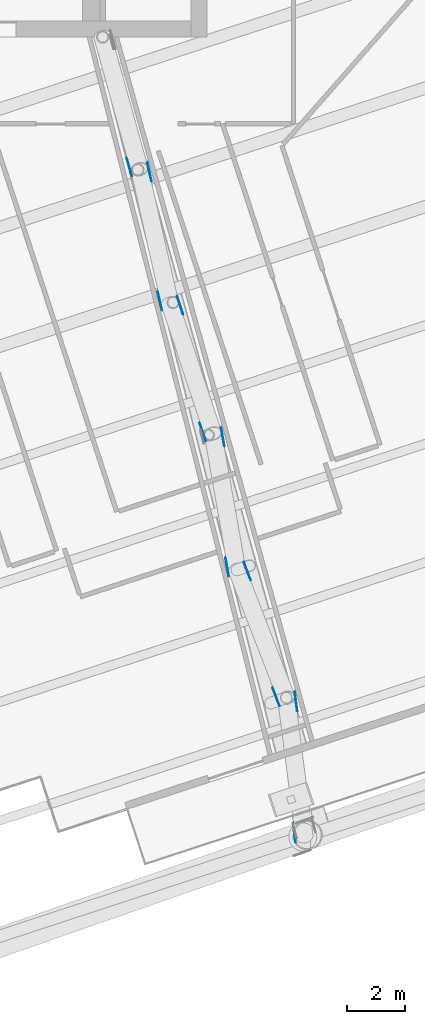
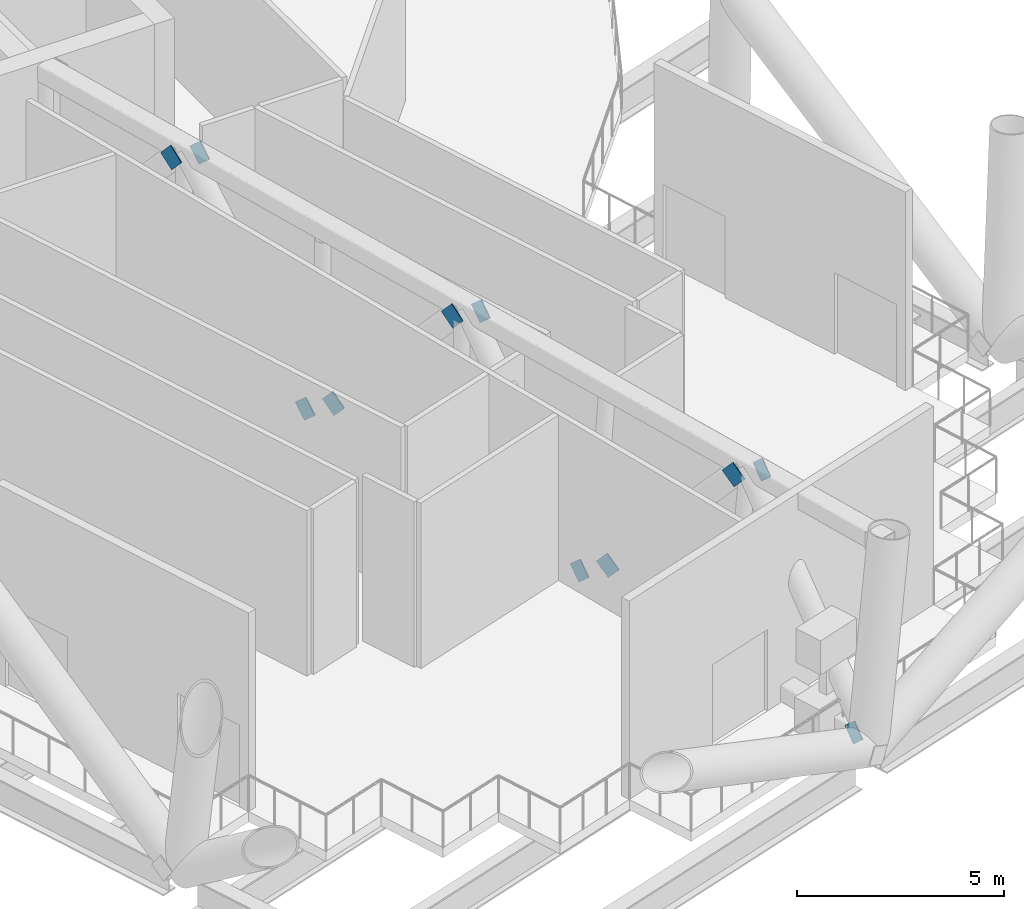
# One storey, part 14 of 33: 11 discrete accessories.
"""IFC4 building model written with IfcOpenShell, lengths in metres."""

from ifc_helpers import new_model, si_unit, direction, frame, origin, origin_2d, place, context, subcontext, project, spatial, rectangle, extrude, material, material_profile, profile_set, type_object, element, save


model = new_model("IFC4")

# Units and contexts
model_context = context("Model", 3, precision=1e-05, world=origin(), true_north=direction((0.0, 1.0)))
body_context = subcontext(model_context, "Body", "Model", "MODEL_VIEW")
ifc_project = project(units=[si_unit("LENGTHUNIT", "METRE"), si_unit("AREAUNIT", "SQUARE_METRE"), si_unit("VOLUMEUNIT", "CUBIC_METRE"), si_unit("PLANEANGLEUNIT", "RADIAN"), si_unit("MASSUNIT", "GRAM", prefix="KILO")], contexts=[model_context])

# Site, building, storey
site_placement = place(None, origin())
site = spatial("IfcSite", under=ifc_project, at=site_placement, CompositionType="ELEMENT")
building_placement = place(site_placement, origin())
building = spatial("IfcBuilding", under=site, at=building_placement, Name="Tarsis Ring Headquarters", CompositionType="ELEMENT")
storey_placement = place(building_placement, frame((0.0, 0.0, 302.0)))
storey = spatial("IfcBuildingStorey", under=building, at=storey_placement, Name="L71", CompositionType="ELEMENT", Elevation=302.0)

# Discrete accessories
ifc_material = material(Name="Structural steel S355", Category="steel")
ifc_material_profile = material_profile(ifc_material, rectangle(XDim=0.02490234375, YDim=0.5, at=origin_2d()), Name="PL 25x500")
ifc_profile_set = profile_set([ifc_material_profile], Name="Structural steel S355")
discrete_accessory_type = type_object("IfcDiscreteAccessoryType", Name="Gusset plate Outrigger 25", PredefinedType="BRACKET", material=ifc_profile_set)
for number, where, z_axis, x_axis, name in (
    (1, (7.364990234375, -17.65771484375, 5.5859375), (-0.177725137932, 0.640591705951, -0.747031486361), (-0.963602039943, -0.267340809862, 0.0), "Gusset plate GP1"),
    (2, (7.980224609375, -17.502685546875, 5.5859375), (0.147457597658, -0.649887624115, -0.745588581535), (0.975211964523, 0.221272737255, 0.0), "Gusset plate GP1"),
):
    element("IfcDiscreteAccessory", number, at=place(storey_placement, frame(where, z_axis=z_axis, x_axis=x_axis)), inside=storey, type_object=discrete_accessory_type, Name=name, PredefinedType="BRACKET", context=body_context, shape_type="SweptSolid", body=[
        extrude(rectangle(XDim=0.02490234375, YDim=0.5, at=origin_2d()), origin(), (0.0, 0.0, 1.0), 0.5),
    ])
discrete_accessory_placement = place(storey_placement, frame((8.4140625, -22.289306640625, 0.25390625), z_axis=(-0.14692638893, 0.649697753043, 0.745858878024), x_axis=(-0.975369846924, -0.220575750506, 0.0)))
element("IfcDiscreteAccessory", 3, at=discrete_accessory_placement, inside=storey, type_object=discrete_accessory_type, Name="Gusset plate GP1", PredefinedType="BRACKET", context=body_context, shape_type="SweptSolid", body=[
    extrude(rectangle(XDim=0.02490234375, YDim=0.5, at=origin_2d()), origin(), (0.0, 0.0, 1.0), 0.500244140625),
])
for number, where, z_axis, x_axis, name in (
    (4, (9.02490234375, -22.11962890625, 0.25390625), (0.208529232926, -0.630471287371, 0.747677413606), (0.949416144086, 0.314020676626, 0.0), "Gusset plate GP1"),
    (5, (9.9111328125, -26.81787109375, 5.5859375), (-0.208529232926, 0.630471287371, -0.747677413606), (-0.949416144086, -0.314020676626, 0.0), "Gusset plate GP1"),
    (6, (10.52490234375, -26.6630859375, 5.5859375), (0.116225167579, -0.658283722254, -0.743743404298), (0.984768846418, 0.173868683566, 0.0), "Gusset plate GP1"),
    (7, (10.734619140625, -31.49365234375, 0.25390625), (-0.116225167579, 0.658283722254, 0.743743404298), (-0.984768846418, -0.173868683566, 0.0), "Gusset plate GP1"),
    (8, (11.34326171875, -31.32421875, 0.25390625), (0.238721783746, -0.619993180689, 0.747409102075), (0.933212973137, 0.359323735326, 0.0), "Gusset plate GP1"),
    (9, (12.457763671875, -35.97802734375, 5.5859375), (-0.238808906072, 0.620219449308, -0.747193509796), (-0.933212973137, -0.359323735326, 0.0), "Gusset plate GP1"),
    (10, (13.068603515625, -35.8232421875, 5.5859375), (0.085953311701, -0.666138165681, -0.74085894233), (0.991777866634, 0.12797133763, 0.0), "Gusset plate GP1"),
    (11, (13.055908203125, -40.697998046875, 0.25390625), (-0.085437598506, 0.665925053499, 0.741110140184), (-0.991869901432, -0.127256035741, 0.0), "Gusset plate GP1"),
):
    element("IfcDiscreteAccessory", number, at=place(storey_placement, frame(where, z_axis=z_axis, x_axis=x_axis)), inside=storey, type_object=discrete_accessory_type, Name=name, PredefinedType="BRACKET", context=body_context, shape_type="SweptSolid", body=[
        extrude(rectangle(XDim=0.02490234375, YDim=0.5, at=origin_2d()), origin(), (0.0, 0.0, 1.0), 0.5),
    ])

save(model, "model.ifc")
